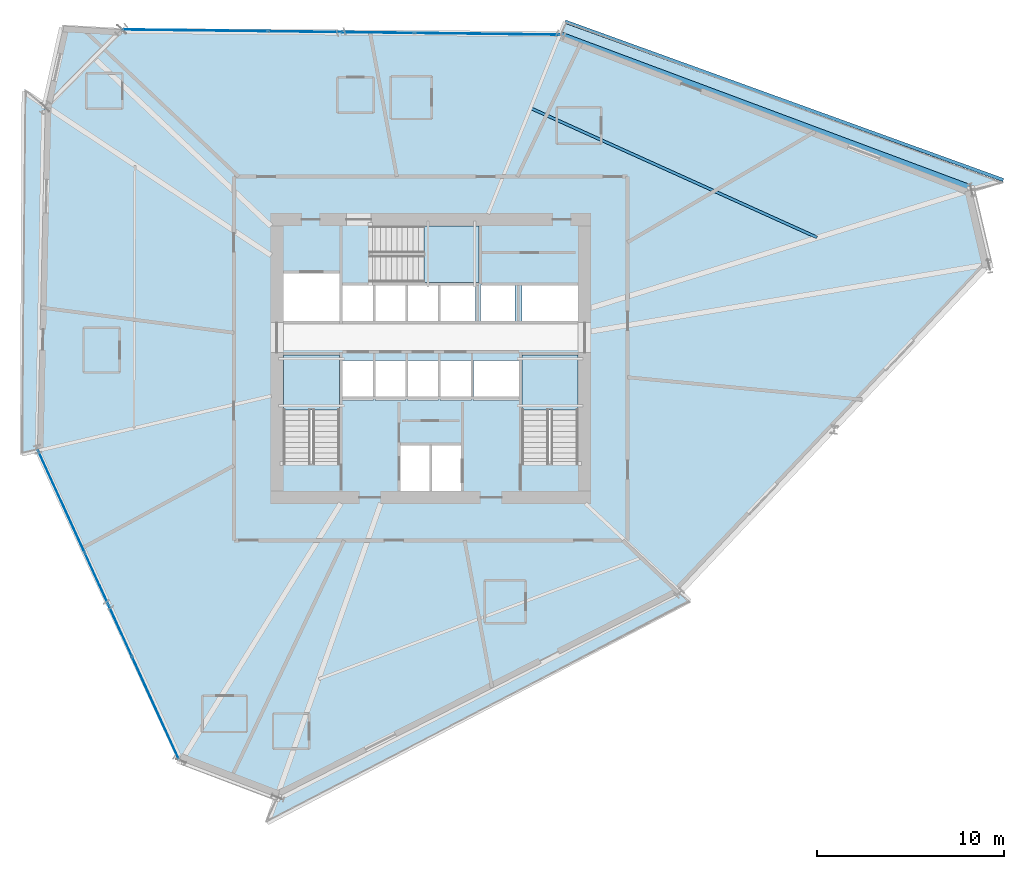
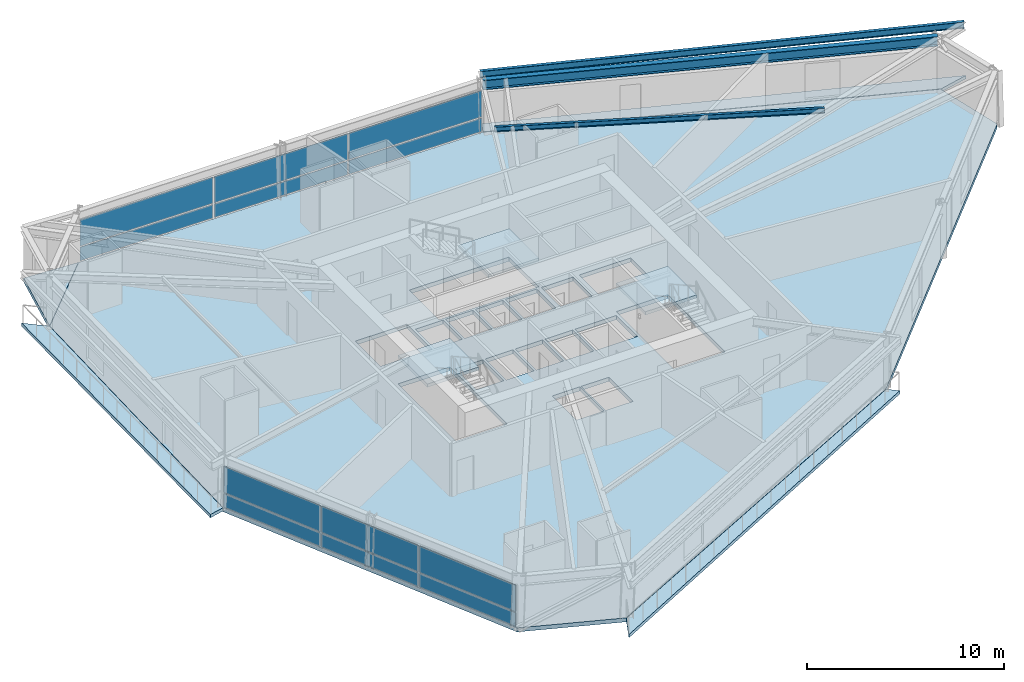
# One storey, part 9 of 21: 12 plates, 8 slabs, 3 beams, 5 elements without a shape of their own.
"""IFC4 building model written with IfcOpenShell, lengths in metres."""

from ifc_helpers import new_model, si_unit, direction, frame, origin, origin_2d, place, context, subcontext, project, spatial, polyline, rectangle, i_section, outline, extrude, source, transform, mapped, material, layer, layer_set, material_profile, profile_set, type_object, element, aggregate, save


model = new_model("IFC4")

# Units and contexts
model_context = context("Model", 3, precision=1e-05, world=origin(), true_north=direction((0.0, 1.0)))
body_context = subcontext(model_context, "Body", "Model", "MODEL_VIEW")
ifc_project = project(units=[si_unit("LENGTHUNIT", "METRE"), si_unit("AREAUNIT", "SQUARE_METRE"), si_unit("VOLUMEUNIT", "CUBIC_METRE"), si_unit("PLANEANGLEUNIT", "RADIAN"), si_unit("MASSUNIT", "GRAM", prefix="KILO")], contexts=[model_context])

# Site, building, storey
site_placement = place(None, origin())
site = spatial("IfcSite", under=ifc_project, at=site_placement, CompositionType="ELEMENT")
building_placement = place(site_placement, origin())
building = spatial("IfcBuilding", under=site, at=building_placement, Name="Olszyna Solenne Hotel", CompositionType="ELEMENT")
storey_placement = place(building_placement, frame((0.0, 0.0, 91.5)))
storey = spatial("IfcBuildingStorey", under=building, at=storey_placement, Name="L23", CompositionType="ELEMENT", Elevation=91.5)

# Beams
ifc_material_1 = material(Name="Steel S355J2", Category="steel")
ifc_material_profile_1 = material_profile(ifc_material_1, i_section(OverallWidth=0.300048828125, OverallDepth=0.60009765625, WebThickness=0.015380859375, FlangeThickness=0.030029296875, at=origin_2d()), Name="HEB 600", Category="load-bearing")
ifc_profile_set_1 = profile_set([ifc_material_profile_1], Name="Steel S355J2")
beam_type_1 = type_object("IfcBeamType", Name="BM-S2", PredefinedType="BEAM", material=ifc_profile_set_1)
shared_shape_1 = source(origin(), body_context, "Body", "SweptSolid", [
    extrude(i_section(OverallWidth=0.300048828125, OverallDepth=0.60009765625, WebThickness=0.015380859375, FlangeThickness=0.030029296875, at=origin_2d()), origin(), (0.0, 0.0, 1.0), 23.42333984375),
])
beam_1_placement = place(storey_placement, frame((66.898193359375, 35.77197265625, 3.0), z_axis=(-0.936919813865, 0.349544363976, 0.0), x_axis=(-0.349544363976, -0.936919813865, 0.0)))
element("IfcBeam", 1, at=beam_1_placement, inside=storey, type_object=beam_type_1, Name="Perimeter spandrel beam BM-S2 B-L23-0692", PredefinedType="BEAM", context=body_context, shape_type="MappedRepresentation", body=[
    mapped(shared_shape_1, transform((0.0, 0.0, 0.0), x_axis=(1.0, 0.0, 0.0), y_axis=(0.0, 1.0, 0.0), z_axis=(0.0, 0.0, 1.0), scale=1.0)),
])
ifc_material_profile_2 = material_profile(ifc_material_1, i_section(OverallWidth=0.179931640625, OverallDepth=0.39990234375, WebThickness=0.008544921875, FlangeThickness=0.013427734375, at=origin_2d()), Name="IPE 400", Category="load-bearing")
ifc_profile_set_2 = profile_set([ifc_material_profile_2], Name="Steel S355J2")
beam_type_2 = type_object("IfcBeamType", Name="BM-F5", PredefinedType="BEAM", material=ifc_profile_set_2)
shared_shape_2 = source(origin(), body_context, "Body", "SweptSolid", [
    extrude(i_section(OverallWidth=0.179931640625, OverallDepth=0.39990234375, WebThickness=0.008544921875, FlangeThickness=0.013427734375, at=origin_2d()), origin(), (0.0, 0.0, 1.0), 24.965576171875),
])
beam_2_placement = place(storey_placement, frame((68.68603515625, 36.16748046875, 3.10009765625), z_axis=(-0.940386740369, 0.340107010423, 0.0), x_axis=(-0.340107010423, -0.940386740369, 0.0)))
element("IfcBeam", 2, at=beam_2_placement, inside=storey, type_object=beam_type_2, Name="Loggia outer edge beam BM-F5 B-L23-0717", PredefinedType="BEAM", context=body_context, shape_type="MappedRepresentation", body=[
    mapped(shared_shape_2, transform((0.0, 0.0, 0.0), x_axis=(1.0, 0.0, 0.0), y_axis=(0.0, 1.0, 0.0), z_axis=(0.0, 0.0, 1.0), scale=1.0)),
])
ifc_material_profile_3 = material_profile(ifc_material_1, i_section(OverallWidth=0.14990234375, OverallDepth=0.300048828125, WebThickness=0.007080078125, FlangeThickness=0.0107421875, at=origin_2d()), Name="IPE 300", Category="load-bearing")
ifc_profile_set_3 = profile_set([ifc_material_profile_3], Name="Steel S355J2")
beam_type_3 = type_object("IfcBeamType", Name="JS-02", PredefinedType="JOIST", material=ifc_profile_set_3)
shared_shape_3 = source(origin(), body_context, "Body", "SweptSolid", [
    extrude(i_section(OverallWidth=0.14990234375, OverallDepth=0.300048828125, WebThickness=0.007080078125, FlangeThickness=0.0107421875, at=origin_2d()), origin(), (0.0, 0.0, 1.0), 16.831298828125),
])
beam_3_placement = place(storey_placement, frame((58.70751953125, 33.086669921875, 3.14990234375), z_axis=(-0.911404295772, 0.41151210146, 0.0), x_axis=(-0.41151210146, -0.911404295772, 0.0)))
element("IfcBeam", 3, at=beam_3_placement, inside=storey, type_object=beam_type_3, Name="Secondary composite floor joist JS-02 B-L23-0714", PredefinedType="JOIST", context=body_context, shape_type="MappedRepresentation", body=[
    mapped(shared_shape_3, transform((0.0, 0.0, 0.0), x_axis=(1.0, 0.0, 0.0), y_axis=(0.0, 1.0, 0.0), z_axis=(0.0, 0.0, 1.0), scale=1.0)),
])

# Stair, slab
ifc_material_2 = material(Name="Concrete C40/50", Category="concrete")
stair_type = type_object("IfcStairType", Name="STR-C1", PredefinedType="TWO_QUARTER_WINDING_STAIR", material=ifc_material_2)
stair_1_placement = place(storey_placement, origin())
stair_1 = element("IfcStair", 4, at=stair_1_placement, inside=storey, type_object=stair_type, Name="L23 ST1", PredefinedType="TWO_QUARTER_WINDING_STAIR")
ifc_layer_1 = layer(ifc_material_2, 0.18994140625, Name="Concrete C40/50")
ifc_layer_set_1 = layer_set([ifc_layer_1], Name="Concrete C40/50")
slab_type_1 = type_object("IfcSlabType", Name="SL-LN190", PredefinedType="LANDING", material=ifc_layer_set_1)
slab_1_placement = place(storey_placement, frame((0.0, 0.0, 1.574951171875)))
slab_1 = element("IfcSlab", 5, at=slab_1_placement, type_object=slab_type_1, Name="ST1 landing 1", PredefinedType="LANDING", context=body_context, shape_type="SweptSolid", body=[
    extrude(outline(polyline([(33.1201171875, 23.85009765625), (33.1201171875, 26.800048828125), (30.10009765625, 26.800048828125), (30.10009765625, 23.85009765625), (33.1201171875, 23.85009765625)])), origin(), (0.0, 0.0, 1.0), 0.199951171875),
])
aggregate(stair_1, [slab_1])

stair_2_placement = place(storey_placement, origin())
stair_2 = element("IfcStair", 6, at=stair_2_placement, inside=storey, type_object=stair_type, Name="L23 ST2", PredefinedType="TWO_QUARTER_WINDING_STAIR")
slab_2_placement = place(storey_placement, frame((0.0, 0.0, 1.574951171875)))
slab_2 = element("IfcSlab", 7, at=slab_2_placement, type_object=slab_type_1, Name="ST2 landing 1", PredefinedType="LANDING", context=body_context, shape_type="SweptSolid", body=[
    extrude(outline(polyline([(45.89990234375, 23.85009765625), (45.89990234375, 26.800048828125), (42.8798828125, 26.800048828125), (42.8798828125, 23.85009765625), (45.89990234375, 23.85009765625)])), origin(), (0.0, 0.0, 1.0), 0.199951171875),
])
aggregate(stair_2, [slab_2])

stair_3_placement = place(storey_placement, origin())
stair_3 = element("IfcStair", 8, at=stair_3_placement, inside=storey, type_object=stair_type, Name="L23 ST3", PredefinedType="TWO_QUARTER_WINDING_STAIR")
slab_3_placement = place(storey_placement, frame((0.0, 0.0, 1.574951171875)))
slab_3 = element("IfcSlab", 9, at=slab_3_placement, type_object=slab_type_1, Name="ST3 landing 1", PredefinedType="LANDING", context=body_context, shape_type="SweptSolid", body=[
    extrude(outline(polyline([(37.6298828125, 30.679931640625), (40.580078125, 30.679931640625), (40.580078125, 33.699951171875), (37.6298828125, 33.699951171875), (37.6298828125, 30.679931640625)])), origin(), (0.0, 0.0, 1.0), 0.199951171875),
])
aggregate(stair_3, [slab_3])

# Slabs
ifc_material_3 = material(Name="Precast concrete C45/55", Category="concrete")
ifc_layer_2 = layer(ifc_material_3, 0.199951171875, Name="Precast concrete C45/55")
ifc_layer_set_2 = layer_set([ifc_layer_2], Name="Precast concrete C45/55")
slab_type_2 = type_object("IfcSlabType", Name="SL-LOG200", PredefinedType="FLOOR", material=ifc_layer_set_2)
slab_4_placement = place(storey_placement, frame((0.0, 0.0, -0.199951171875)))
element("IfcSlab", 10, at=slab_4_placement, inside=storey, type_object=slab_type_2, Name="Exterior loggia balcony slab SL-L23-LG1", PredefinedType="FLOOR", context=body_context, shape_type="SweptSolid", body=[
    extrude(outline(polyline([(44.978515625, 43.9638671875), (66.99951171875, 35.638671875), (67.000732421875, 35.637939453125), (67.001953125, 35.63720703125), (67.00341796875, 35.636474609375), (67.00439453125, 35.635498046875), (67.00537109375, 35.634521484375), (67.00634765625, 35.63330078125), (67.007080078125, 35.632080078125), (67.0078125, 35.630859375), (67.00830078125, 35.62939453125), (67.0087890625, 35.6279296875), (68.7275390625, 36.033447265625), (45.28759765625, 44.626953125), (44.978515625, 43.9638671875)])), origin(), (0.0, 0.0, 1.0), 0.199951171875),
])
slab_5_placement = place(storey_placement, frame((0.0, 0.0, -0.199951171875)))
element("IfcSlab", 11, at=slab_5_placement, inside=storey, type_object=slab_type_2, Name="Exterior loggia balcony slab SL-L23-LG2", PredefinedType="FLOOR", context=body_context, shape_type="SweptSolid", body=[
    extrude(outline(polyline([(16.9052734375, 21.7470703125), (16.905029296875, 21.748046875), (16.90478515625, 21.74951171875), (16.90478515625, 21.750732421875), (17.322265625, 40.072998046875), (17.322265625, 40.074462890625), (17.322509765625, 40.075927734375), (17.32421875, 40.08349609375), (16.234619140625, 41.01708984375), (16.052978515625, 21.546142578125), (16.9052734375, 21.7470703125)])), origin(), (0.0, 0.0, 1.0), 0.199951171875),
])
slab_6_placement = place(storey_placement, frame((0.0, 0.0, -0.199951171875)))
element("IfcSlab", 12, at=slab_6_placement, inside=storey, type_object=slab_type_2, Name="Exterior loggia balcony slab SL-L23-LG3", PredefinedType="FLOOR", context=body_context, shape_type="SweptSolid", body=[
    extrude(outline(polyline([(51.31591796875, 14.006591796875), (51.315185546875, 14.006103515625), (51.31396484375, 14.0048828125), (51.312744140625, 14.00390625), (51.311279296875, 14.0029296875), (29.781494140625, 3.06103515625), (29.7802734375, 3.060302734375), (29.77880859375, 3.059814453125), (29.777099609375, 3.0595703125), (29.775634765625, 3.059326171875), (29.77392578125, 3.059326171875), (29.7724609375, 3.0595703125), (29.77099609375, 3.059814453125), (29.76953125, 3.060302734375), (29.768310546875, 3.060791015625), (29.14404296875, 1.72119140625), (51.855712890625, 13.544189453125), (51.31591796875, 14.006591796875)])), origin(), (0.0, 0.0, 1.0), 0.199951171875),
])
ifc_material_4 = material(Name="Concrete C50/60", Category="concrete")
ifc_layer_3 = layer(ifc_material_4, 0.25, Name="Concrete C50/60")
ifc_layer_set_3 = layer_set([ifc_layer_3], Name="Concrete C50/60")
slab_type_3 = type_object("IfcSlabType", Name="SL-TW250", PredefinedType="FLOOR", material=ifc_layer_set_3)
slab_7_placement = place(storey_placement, frame((0.0, 0.0, -0.25)))
element("IfcSlab", 13, at=slab_7_placement, inside=storey, type_object=slab_type_3, Name="Floor slab SL-TW250 SL-L23-01", PredefinedType="FLOOR", context=body_context, shape_type="SweptSolid", body=[
    extrude(outline(polyline([(67.94140625, 31.5224609375), (66.994140625, 35.62451171875), (44.97216796875, 43.9501953125), (21.430419921875, 44.23095703125), (17.337158203125, 40.072509765625), (16.919921875, 21.75048828125), (24.522216796875, 5.074951171875), (29.77490234375, 3.074462890625), (51.304443359375, 14.016357421875), (67.94140625, 31.5224609375)]), holes=[polyline([(30.10009765625, 20.949951171875), (33.1201171875, 20.949951171875), (33.1201171875, 26.800048828125), (30.10009765625, 26.800048828125), (30.10009765625, 20.949951171875)]), polyline([(42.8798828125, 20.949951171875), (45.89990234375, 20.949951171875), (45.89990234375, 26.800048828125), (42.8798828125, 26.800048828125), (42.8798828125, 20.949951171875)]), polyline([(34.72998046875, 30.679931640625), (40.580078125, 30.679931640625), (40.580078125, 33.699951171875), (34.72998046875, 33.699951171875), (34.72998046875, 30.679931640625)]), polyline([(36.340087890625, 19.5), (37.9599609375, 19.5), (37.9599609375, 21.9599609375), (36.340087890625, 21.9599609375), (36.340087890625, 19.5)]), polyline([(38.0400390625, 19.5), (39.659912109375, 19.5), (39.659912109375, 21.9599609375), (38.0400390625, 21.9599609375), (38.0400390625, 19.5)]), polyline([(30.10009765625, 28.60009765625), (33.1201171875, 28.60009765625), (33.1201171875, 31.159912109375), (30.10009765625, 31.159912109375), (30.10009765625, 28.60009765625)]), polyline([(33.280029296875, 24.360107421875), (34.89990234375, 24.360107421875), (34.89990234375, 26.5), (33.280029296875, 26.5), (33.280029296875, 24.360107421875)]), polyline([(35.030029296875, 24.360107421875), (36.64990234375, 24.360107421875), (36.64990234375, 26.5), (35.030029296875, 26.5), (35.030029296875, 24.360107421875)]), polyline([(36.780029296875, 24.360107421875), (38.39990234375, 24.360107421875), (38.39990234375, 26.5), (36.780029296875, 26.5), (36.780029296875, 24.360107421875)]), polyline([(38.530029296875, 24.360107421875), (40.14990234375, 24.360107421875), (40.14990234375, 26.5), (38.530029296875, 26.5), (38.530029296875, 24.360107421875)]), polyline([(40.280029296875, 24.360107421875), (42.719970703125, 24.360107421875), (42.719970703125, 26.5), (40.280029296875, 26.5), (40.280029296875, 24.360107421875)]), polyline([(33.280029296875, 28.60009765625), (34.89990234375, 28.60009765625), (34.89990234375, 30.550048828125), (33.280029296875, 30.550048828125), (33.280029296875, 28.60009765625)]), polyline([(35.030029296875, 28.60009765625), (36.64990234375, 28.60009765625), (36.64990234375, 30.550048828125), (35.030029296875, 30.550048828125), (35.030029296875, 28.60009765625)]), polyline([(36.780029296875, 28.60009765625), (38.39990234375, 28.60009765625), (38.39990234375, 30.550048828125), (36.780029296875, 30.550048828125), (36.780029296875, 28.60009765625)]), polyline([(38.530029296875, 28.60009765625), (40.389892578125, 28.60009765625), (40.389892578125, 30.550048828125), (38.530029296875, 30.550048828125), (38.530029296875, 28.60009765625)]), polyline([(40.659912109375, 28.60009765625), (42.52001953125, 28.60009765625), (42.52001953125, 30.550048828125), (40.659912109375, 30.550048828125), (40.659912109375, 28.60009765625)]), polyline([(42.8798828125, 28.60009765625), (45.89990234375, 28.60009765625), (45.89990234375, 30.550048828125), (42.8798828125, 30.550048828125), (42.8798828125, 28.60009765625)])]), origin(), (0.0, 0.0, 1.0), 0.25),
])
slab_8_placement = place(storey_placement, frame((0.0, 0.0, -0.25)))
element("IfcSlab", 14, at=slab_8_placement, inside=storey, type_object=slab_type_3, Name="Faceted glass-prism floor slab SL-L23-PR", PredefinedType="FLOOR", context=body_context, shape_type="SweptSolid", body=[
    extrude(outline(polyline([(17.34130859375, 40.091064453125), (21.417236328125, 44.231689453125), (18.316650390625, 44.41748046875), (17.34130859375, 40.091064453125)])), origin(), (0.0, 0.0, 1.0), 0.25),
])

# Curtain wall, plates
ifc_material_5 = material(Name="Anodised bronze aluminium", Category="aluminium")
curtain_wall_type = type_object("IfcCurtainWallType", Name="CW-SYS-3", PredefinedType="NOTDEFINED", material=ifc_material_5)
curtain_wall_1_placement = place(storey_placement, origin())
curtain_wall_1 = element("IfcCurtainWall", 15, at=curtain_wall_1_placement, inside=storey, type_object=curtain_wall_type, Name="Unitised curtain wall CW-SYS-3 CW-L23-01", PredefinedType="NOTDEFINED")
ifc_material_6 = material(Name="Terracotta cladding", Category="masonry")
plate_type_1 = type_object("IfcPlateType", Name="PN-SP1", PredefinedType="CURTAIN_PANEL", material=ifc_material_6)
shared_shape_4 = source(origin(), body_context, "Body", "SweptSolid", [
    extrude(rectangle(XDim=5.996337890625, YDim=0.035888671875, at=origin_2d()), origin(), (0.0, 0.0, 1.0), 0.83740234375),
])
plate_1_placement = place(storey_placement, frame((18.194580078125, 18.9541015625, 0.074951171875), z_axis=(0.0, 0.0, 1.0), x_axis=(0.414819351443, -0.909903789237, 0.0)))
plate_1 = element("IfcPlate", 16, at=plate_1_placement, type_object=plate_type_1, Name="Curtain-wall panel PN-SP1 CP-L23-01-01", PredefinedType="CURTAIN_PANEL", context=body_context, shape_type="MappedRepresentation", body=[
    mapped(shared_shape_4, transform((0.0, 0.0, 0.0), x_axis=(1.0, 0.0, 0.0), y_axis=(0.0, 1.0, 0.0), z_axis=(0.0, 0.0, 1.0), scale=1.0)),
])
plate_2_placement = place(storey_placement, frame((23.247314453125, 7.871337890625, 0.074951171875), z_axis=(0.0, 0.0, 1.0), x_axis=(0.414819351443, -0.909903789237, 0.0)))
plate_2 = element("IfcPlate", 17, at=plate_2_placement, type_object=plate_type_1, Name="Curtain-wall panel PN-SP1 CP-L23-01-05", PredefinedType="CURTAIN_PANEL", context=body_context, shape_type="MappedRepresentation", body=[
    mapped(shared_shape_4, transform((0.0, 0.0, 0.0), x_axis=(1.0, 0.0, 0.0), y_axis=(0.0, 1.0, 0.0), z_axis=(0.0, 0.0, 1.0), scale=1.0)),
])
ifc_material_7 = material(Name="Low-E triple glazing", Category="glass")
plate_type_2 = type_object("IfcPlateType", Name="PN-GL1", PredefinedType="CURTAIN_PANEL", material=ifc_material_7)
shared_shape_5 = source(origin(), body_context, "Body", "SweptSolid", [
    extrude(rectangle(XDim=5.996337890625, YDim=0.035888671875, at=origin_2d()), origin(), (0.0, 0.0, 1.0), 1.62939453125),
])
plate_3_placement = place(storey_placement, frame((18.194580078125, 18.9541015625, 0.987548828125), z_axis=(0.0, 0.0, 1.0), x_axis=(0.414819351443, -0.909903789237, 0.0)))
plate_3 = element("IfcPlate", 18, at=plate_3_placement, type_object=plate_type_2, Name="Curtain-wall panel PN-GL1 CP-L23-01-02", PredefinedType="CURTAIN_PANEL", context=body_context, shape_type="MappedRepresentation", body=[
    mapped(shared_shape_5, transform((0.0, 0.0, 0.0), x_axis=(1.0, 0.0, 0.0), y_axis=(0.0, 1.0, 0.0), z_axis=(0.0, 0.0, 1.0), scale=1.0)),
])
plate_4_placement = place(storey_placement, frame((23.247314453125, 7.871337890625, 0.987548828125), z_axis=(0.0, 0.0, 1.0), x_axis=(0.414819351443, -0.909903789237, 0.0)))
plate_4 = element("IfcPlate", 19, at=plate_4_placement, type_object=plate_type_2, Name="Curtain-wall panel PN-GL1 CP-L23-01-06", PredefinedType="CURTAIN_PANEL", context=body_context, shape_type="MappedRepresentation", body=[
    mapped(shared_shape_5, transform((0.0, 0.0, 0.0), x_axis=(1.0, 0.0, 0.0), y_axis=(0.0, 1.0, 0.0), z_axis=(0.0, 0.0, 1.0), scale=1.0)),
])
shared_shape_6 = source(origin(), body_context, "Body", "SweptSolid", [
    extrude(rectangle(XDim=6.033935546875, YDim=0.035888671875, at=origin_2d()), origin(), (0.0, 0.0, 1.0), 0.83740234375),
])
plate_5_placement = place(storey_placement, frame((20.720947265625, 13.41259765625, 0.074951171875), z_axis=(0.0, 0.0, 1.0), x_axis=(0.414819351443, -0.909903789237, 0.0)))
plate_5 = element("IfcPlate", 20, at=plate_5_placement, type_object=plate_type_1, Name="Curtain-wall panel PN-SP1 CP-L23-01-03", PredefinedType="CURTAIN_PANEL", context=body_context, shape_type="MappedRepresentation", body=[
    mapped(shared_shape_6, transform((0.0, 0.0, 0.0), x_axis=(1.0, 0.0, 0.0), y_axis=(0.0, 1.0, 0.0), z_axis=(0.0, 0.0, 1.0), scale=1.0)),
])
shared_shape_7 = source(origin(), body_context, "Body", "SweptSolid", [
    extrude(rectangle(XDim=6.033935546875, YDim=0.035888671875, at=origin_2d()), origin(), (0.0, 0.0, 1.0), 1.62939453125),
])
plate_6_placement = place(storey_placement, frame((20.720947265625, 13.41259765625, 0.987548828125), z_axis=(0.0, 0.0, 1.0), x_axis=(0.414819351443, -0.909903789237, 0.0)))
plate_6 = element("IfcPlate", 21, at=plate_6_placement, type_object=plate_type_2, Name="Curtain-wall panel PN-GL1 CP-L23-01-04", PredefinedType="CURTAIN_PANEL", context=body_context, shape_type="MappedRepresentation", body=[
    mapped(shared_shape_7, transform((0.0, 0.0, 0.0), x_axis=(1.0, 0.0, 0.0), y_axis=(0.0, 1.0, 0.0), z_axis=(0.0, 0.0, 1.0), scale=1.0)),
])
aggregate(curtain_wall_1, [plate_1, plate_3, plate_5, plate_6, plate_2, plate_4])

curtain_wall_2_placement = place(storey_placement, origin())
curtain_wall_2 = element("IfcCurtainWall", 22, at=curtain_wall_2_placement, inside=storey, type_object=curtain_wall_type, Name="Unitised curtain wall CW-SYS-3 CW-L23-02", PredefinedType="NOTDEFINED")
shared_shape_8 = source(origin(), body_context, "Body", "SweptSolid", [
    extrude(rectangle(XDim=7.7353515625, YDim=0.035888671875, at=origin_2d()), origin(), (0.0, 0.0, 1.0), 0.83740234375),
])
plate_7_placement = place(storey_placement, frame((25.372802734375, 44.18408203125, 0.074951171875), z_axis=(0.0, 0.0, 1.0), x_axis=(0.999928871128, -0.011926972982, 0.0)))
plate_7 = element("IfcPlate", 23, at=plate_7_placement, type_object=plate_type_1, Name="Curtain-wall panel PN-SP1 CP-L23-02-01", PredefinedType="CURTAIN_PANEL", context=body_context, shape_type="MappedRepresentation", body=[
    mapped(shared_shape_8, transform((0.0, 0.0, 0.0), x_axis=(1.0, 0.0, 0.0), y_axis=(0.0, 1.0, 0.0), z_axis=(0.0, 0.0, 1.0), scale=1.0)),
])
plate_8_placement = place(storey_placement, frame((41.02978515625, 43.997314453125, 0.074951171875), z_axis=(0.0, 0.0, 1.0), x_axis=(0.999928871128, -0.011926972982, 0.0)))
plate_8 = element("IfcPlate", 24, at=plate_8_placement, type_object=plate_type_1, Name="Curtain-wall panel PN-SP1 CP-L23-02-05", PredefinedType="CURTAIN_PANEL", context=body_context, shape_type="MappedRepresentation", body=[
    mapped(shared_shape_8, transform((0.0, 0.0, 0.0), x_axis=(1.0, 0.0, 0.0), y_axis=(0.0, 1.0, 0.0), z_axis=(0.0, 0.0, 1.0), scale=1.0)),
])
shared_shape_9 = source(origin(), body_context, "Body", "SweptSolid", [
    extrude(rectangle(XDim=7.7353515625, YDim=0.035888671875, at=origin_2d()), origin(), (0.0, 0.0, 1.0), 1.62939453125),
])
plate_9_placement = place(storey_placement, frame((25.372802734375, 44.18408203125, 0.987548828125), z_axis=(0.0, 0.0, 1.0), x_axis=(0.999928871128, -0.011926972982, 0.0)))
plate_9 = element("IfcPlate", 25, at=plate_9_placement, type_object=plate_type_2, Name="Curtain-wall panel PN-GL1 CP-L23-02-02", PredefinedType="CURTAIN_PANEL", context=body_context, shape_type="MappedRepresentation", body=[
    mapped(shared_shape_9, transform((0.0, 0.0, 0.0), x_axis=(1.0, 0.0, 0.0), y_axis=(0.0, 1.0, 0.0), z_axis=(0.0, 0.0, 1.0), scale=1.0)),
])
plate_10_placement = place(storey_placement, frame((41.02978515625, 43.997314453125, 0.987548828125), z_axis=(0.0, 0.0, 1.0), x_axis=(0.999928871128, -0.011926972982, 0.0)))
plate_10 = element("IfcPlate", 26, at=plate_10_placement, type_object=plate_type_2, Name="Curtain-wall panel PN-GL1 CP-L23-02-06", PredefinedType="CURTAIN_PANEL", context=body_context, shape_type="MappedRepresentation", body=[
    mapped(shared_shape_9, transform((0.0, 0.0, 0.0), x_axis=(1.0, 0.0, 0.0), y_axis=(0.0, 1.0, 0.0), z_axis=(0.0, 0.0, 1.0), scale=1.0)),
])
shared_shape_10 = source(origin(), body_context, "Body", "SweptSolid", [
    extrude(rectangle(XDim=7.772705078125, YDim=0.035888671875, at=origin_2d()), origin(), (0.0, 0.0, 1.0), 0.83740234375),
])
plate_11_placement = place(storey_placement, frame((33.201416015625, 44.090576171875, 0.074951171875), z_axis=(0.0, 0.0, 1.0), x_axis=(0.999928871128, -0.011926972982, 0.0)))
plate_11 = element("IfcPlate", 27, at=plate_11_placement, type_object=plate_type_1, Name="Curtain-wall panel PN-SP1 CP-L23-02-03", PredefinedType="CURTAIN_PANEL", context=body_context, shape_type="MappedRepresentation", body=[
    mapped(shared_shape_10, transform((0.0, 0.0, 0.0), x_axis=(1.0, 0.0, 0.0), y_axis=(0.0, 1.0, 0.0), z_axis=(0.0, 0.0, 1.0), scale=1.0)),
])
shared_shape_11 = source(origin(), body_context, "Body", "SweptSolid", [
    extrude(rectangle(XDim=7.772705078125, YDim=0.035888671875, at=origin_2d()), origin(), (0.0, 0.0, 1.0), 1.62939453125),
])
plate_12_placement = place(storey_placement, frame((33.201416015625, 44.090576171875, 0.987548828125), z_axis=(0.0, 0.0, 1.0), x_axis=(0.999928871128, -0.011926972982, 0.0)))
plate_12 = element("IfcPlate", 28, at=plate_12_placement, type_object=plate_type_2, Name="Curtain-wall panel PN-GL1 CP-L23-02-04", PredefinedType="CURTAIN_PANEL", context=body_context, shape_type="MappedRepresentation", body=[
    mapped(shared_shape_11, transform((0.0, 0.0, 0.0), x_axis=(1.0, 0.0, 0.0), y_axis=(0.0, 1.0, 0.0), z_axis=(0.0, 0.0, 1.0), scale=1.0)),
])
aggregate(curtain_wall_2, [plate_7, plate_9, plate_11, plate_12, plate_8, plate_10])

save(model, "model.ifc")
